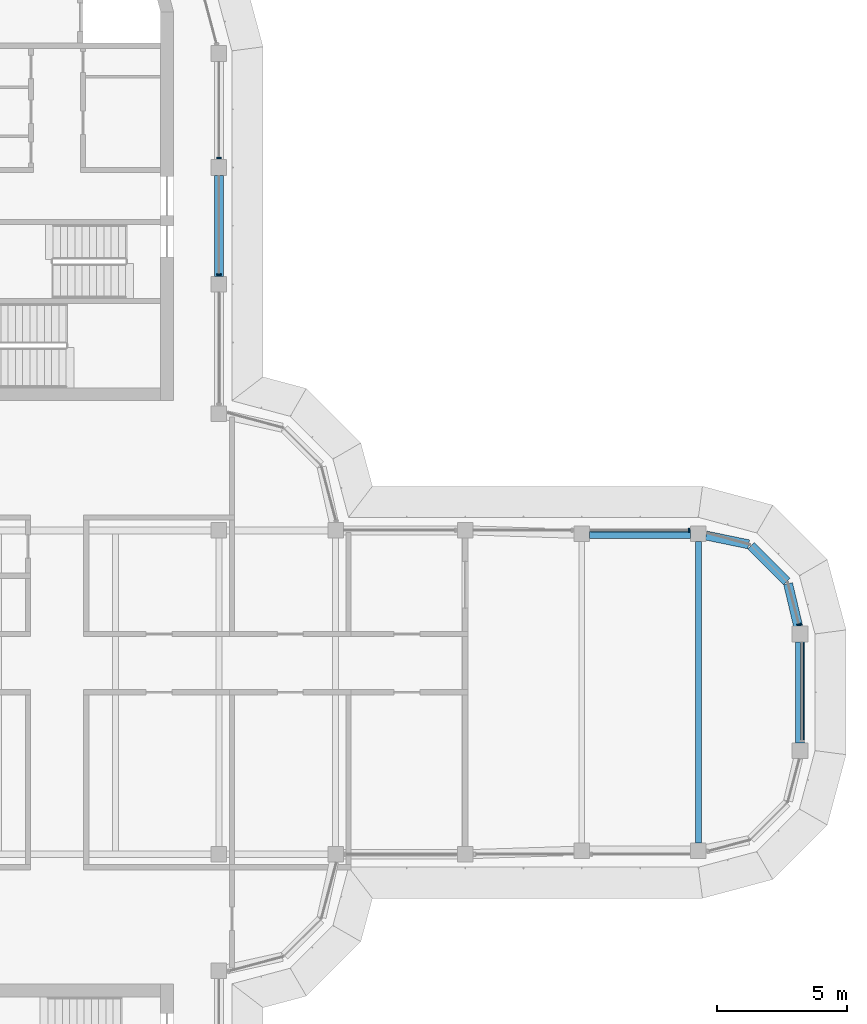
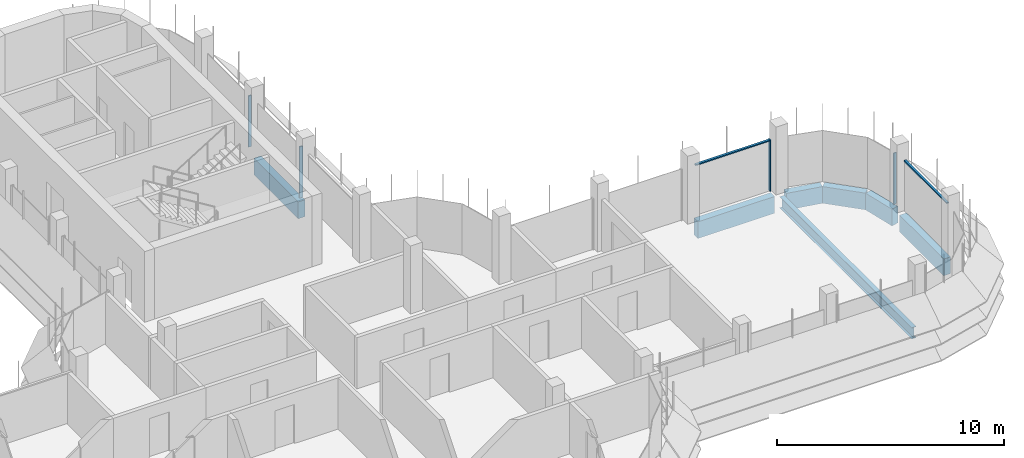
# One storey, part 9 of 19: 7 beams, 6 members, 4 elements without a shape of their own.
"""IFC4 building model written with IfcOpenShell, lengths in metres."""

from ifc_helpers import new_model, si_unit, direction, frame, origin, origin_2d, place, context, subcontext, project, spatial, polyline, rectangle, i_section, outline, extrude, source, transform, mapped, material, material_profile, profile_set, type_object, element, aggregate, save


model = new_model("IFC4")

# Units and contexts
model_context = context("Model", 3, precision=1e-05, world=origin(), true_north=direction((0.0, 1.0)))
body_context = subcontext(model_context, "Body", "Model", "MODEL_VIEW")
ifc_project = project(units=[si_unit("LENGTHUNIT", "METRE"), si_unit("AREAUNIT", "SQUARE_METRE"), si_unit("VOLUMEUNIT", "CUBIC_METRE"), si_unit("PLANEANGLEUNIT", "RADIAN"), si_unit("MASSUNIT", "GRAM", prefix="KILO")], contexts=[model_context])

# Site, building, storey
site_placement = place(None, origin())
site = spatial("IfcSite", under=ifc_project, at=site_placement, CompositionType="ELEMENT")
building_placement = place(site_placement, origin())
building = spatial("IfcBuilding", under=site, at=building_placement, Name="Zarbagh Exchange Tower", CompositionType="ELEMENT")
storey_placement = place(building_placement, frame((0.0, 0.0, 257.39990234375)))
storey = spatial("IfcBuildingStorey", under=building, at=storey_placement, Name="L63", CompositionType="ELEMENT", Elevation=257.39990234375)

# Beams
ifc_material_1 = material(Name="Steel ASTM A992 Gr 50", Category="steel")
ifc_material_profile_1 = material_profile(ifc_material_1, i_section(OverallWidth=0.228271484375, OverallDepth=0.607177734375, WebThickness=0.01123046875, FlangeThickness=0.017333984375, at=origin_2d()), Name="W24X76")
ifc_profile_set_1 = profile_set([ifc_material_profile_1], Name="Steel ASTM A992 Gr 50")
beam_type_1 = type_object("IfcBeamType", Name="Floor beam W24X76", PredefinedType="BEAM", material=ifc_profile_set_1)
beam_1_placement = place(storey_placement, frame((24.75, -5.81005859375, -0.453369140625), z_axis=(0.0, 1.0, 0.0), x_axis=(-1.0, 0.0, 0.0)))
element("IfcBeam", 1, at=beam_1_placement, inside=storey, type_object=beam_type_1, Name="Steel floor beam", PredefinedType="BEAM", context=body_context, shape_type="SweptSolid", body=[
    extrude(i_section(OverallWidth=0.228271484375, OverallDepth=0.607177734375, WebThickness=0.01123046875, FlangeThickness=0.017333984375, at=origin_2d()), origin(), (0.0, 0.0, 1.0), 11.6201171875),
])
ifc_material_2 = material(Name="Concrete C40/50", Category="concrete")
ifc_material_profile_2 = material_profile(ifc_material_2, rectangle(XDim=0.35009765625, YDim=0.89990234375, at=origin_2d()), Name="RC spandrel beam 350 x 900 C40/50")
ifc_profile_set_2 = profile_set([ifc_material_profile_2], Name="Concrete C40/50")
beam_type_2 = type_object("IfcBeamType", Name="RC spandrel beam 350 x 900 C40/50", PredefinedType="SPANDREL", material=ifc_profile_set_2)
for number, where, z_axis, x_axis, name in (
    (2, (6.25, 19.949951171875, -0.599853515625), (0.0, -1.0, 0.0), (1.0, 0.0, 0.0), "RC spandrel beam"),
    (3, (20.550048828125, 6.110107421875, -0.599853515625), (1.0, 0.0, 0.0), (0.0, 1.0, 0.0), "RC spandrel beam"),
):
    element("IfcBeam", number, at=place(storey_placement, frame(where, z_axis=z_axis, x_axis=x_axis)), inside=storey, type_object=beam_type_2, Name=name, PredefinedType="SPANDREL", context=body_context, shape_type="SweptSolid", body=[
        extrude(rectangle(XDim=0.35009765625, YDim=0.89990234375, at=origin_2d()), origin(), (0.0, 0.0, 1.0), 3.89990234375),
    ])
beam_2_placement = place(storey_placement, frame((25.043701171875, 6.04931640625, -0.599853515625), z_axis=(0.979349753205, -0.202173343684, 0.0), x_axis=(0.202173343684, 0.979349753205, 0.0)))
element("IfcBeam", 4, at=beam_2_placement, inside=storey, type_object=beam_type_2, Name="RC spandrel beam", PredefinedType="SPANDREL", context=body_context, shape_type="SweptSolid", body=[
    extrude(rectangle(XDim=0.35009765625, YDim=0.89990234375, at=origin_2d()), origin(), (0.0, 0.0, 1.0), 1.680908203125),
])
beam_3_placement = place(storey_placement, frame((26.7783203125, 5.661865234375, -0.599853515625), z_axis=(0.707106781187, -0.707106781187, 0.0), x_axis=(0.707106781187, 0.707106781187, 0.0)))
element("IfcBeam", 5, at=beam_3_placement, inside=storey, type_object=beam_type_2, Name="RC spandrel beam", PredefinedType="SPANDREL", context=body_context, shape_type="SweptSolid", body=[
    extrude(rectangle(XDim=0.35009765625, YDim=0.89990234375, at=origin_2d()), origin(), (0.0, 0.0, 1.0), 1.95947265625),
])
beam_4_placement = place(storey_placement, frame((28.210205078125, 4.19287109375, -0.599853515625), z_axis=(0.230258391117, -0.973129525459, 0.0), x_axis=(0.973129525459, 0.230258391117, 0.0)))
element("IfcBeam", 6, at=beam_4_placement, inside=storey, type_object=beam_type_2, Name="RC spandrel beam", PredefinedType="SPANDREL", context=body_context, shape_type="SweptSolid", body=[
    extrude(rectangle(XDim=0.35009765625, YDim=0.89990234375, at=origin_2d()), origin(), (0.0, 0.0, 1.0), 1.696533203125),
])
beam_5_placement = place(storey_placement, frame((28.669921875, 1.949951171875, -0.599853515625), z_axis=(0.0, -1.0, 0.0), x_axis=(1.0, 0.0, 0.0)))
element("IfcBeam", 7, at=beam_5_placement, inside=storey, type_object=beam_type_2, Name="RC spandrel beam", PredefinedType="SPANDREL", context=body_context, shape_type="SweptSolid", body=[
    extrude(rectangle(XDim=0.35009765625, YDim=0.89990234375, at=origin_2d()), origin(), (0.0, 0.0, 1.0), 3.89990234375),
])

# Curtain wall, member
ifc_material_3 = material(Name="Anodised aluminium frame and glazing", Category="aluminium")
curtain_wall_type = type_object("IfcCurtainWallType", Name="CWB Ribbon glazing, upper zones", PredefinedType="NOTDEFINED", material=ifc_material_3)
curtain_wall_1_placement = place(storey_placement, origin())
curtain_wall_1 = element("IfcCurtainWall", 8, at=curtain_wall_1_placement, inside=storey, type_object=curtain_wall_type, Name="CWB79 curtain wall", PredefinedType="NOTDEFINED")
ifc_material_4 = material(Name="Anodised aluminium frame", Category="aluminium")
member_type_1 = type_object("IfcMemberType", Name="MUB Mullion, anodised aluminium frame", PredefinedType="MULLION", material=ifc_material_4)
shared_shape_1 = source(origin(), body_context, "Body", "SweptSolid", [
    extrude(outline(polyline([(0.0, -0.080078125), (0.06005859375, -0.080078125), (0.06005859375, 0.080078125), (0.0, 0.080078125), (0.0, -0.080078125)])), origin(), (0.0, 0.0, 1.0), 2.75),
])
placement = place(storey_placement, origin())
member_1 = element("IfcMember", 9, at=placement, type_object=member_type_1, Name="CWB79 mullion 1.1", PredefinedType="MULLION", context=body_context, shape_type="MappedRepresentation", body=[
    mapped(shared_shape_1, transform((28.641357421875, 2.58984375, 0.0), x_axis=(-0.258824779902, 0.965924289636, 0.0), y_axis=(-0.965924289636, -0.258824779902, 0.0), z_axis=(0.0, 0.0, 1.0))),
])
aggregate(curtain_wall_1, [member_1])

curtain_wall_2_placement = place(storey_placement, origin())
curtain_wall_2 = element("IfcCurtainWall", 10, at=curtain_wall_2_placement, inside=storey, type_object=curtain_wall_type, Name="CWB82 curtain wall", PredefinedType="NOTDEFINED")
member_2 = element("IfcMember", 11, at=placement, type_object=member_type_1, Name="CWB82 mullion 1.1", PredefinedType="MULLION", context=body_context, shape_type="MappedRepresentation", body=[
    mapped(shared_shape_1, transform((24.409912109375, 6.25, 0.0), x_axis=(-1.0, 0.0, 0.0), y_axis=(0.0, -1.0, 0.0), z_axis=(0.0, 0.0, 1.0))),
])

# Curtain wall, members
curtain_wall_3_placement = place(storey_placement, origin())
curtain_wall_3 = element("IfcCurtainWall", 12, at=curtain_wall_3_placement, inside=storey, type_object=curtain_wall_type, Name="CWB67 curtain wall", PredefinedType="NOTDEFINED")
member_3 = element("IfcMember", 13, at=placement, type_object=member_type_1, Name="CWB67 mullion 2.1", PredefinedType="MULLION", context=body_context, shape_type="MappedRepresentation", body=[
    mapped(shared_shape_1, transform((6.25, 16.090087890625, 0.0), x_axis=(0.0, 1.0, 0.0), y_axis=(-1.0, 0.0, 0.0), z_axis=(0.0, 0.0, 1.0))),
])
member_4 = element("IfcMember", 14, at=placement, type_object=member_type_1, Name="CWB67 mullion 3.1", PredefinedType="MULLION", context=body_context, shape_type="MappedRepresentation", body=[
    mapped(shared_shape_1, transform((6.25, 20.590087890625, 0.0), x_axis=(0.0, 1.0, 0.0), y_axis=(-1.0, 0.0, 0.0), z_axis=(0.0, 0.0, 1.0))),
])
aggregate(curtain_wall_3, [member_3, member_4])

# Curtain wall, member
curtain_wall_4_placement = place(storey_placement, origin())
curtain_wall_4 = element("IfcCurtainWall", 15, at=curtain_wall_4_placement, inside=storey, type_object=curtain_wall_type, Name="CWB83 curtain wall", PredefinedType="NOTDEFINED")
member_type_2 = type_object("IfcMemberType", Name="TRB Transom, anodised aluminium frame", PredefinedType="USERDEFINED", material=ifc_material_4)
shared_shape_2 = source(origin(), body_context, "Body", "SweptSolid", [
    extrude(outline(polyline([(-0.06005859375, -0.06005859375), (0.0, -0.06005859375), (0.0, 0.06005859375), (-0.06005859375, 0.06005859375), (-0.06005859375, -0.06005859375)])), origin(), (0.0, 0.0, 1.0), 3.760009765625),
])
member_5 = element("IfcMember", 16, at=placement, type_object=member_type_2, Name="CWB83 transom 1.1", ObjectType="TRANSOM", PredefinedType="USERDEFINED", context=body_context, shape_type="MappedRepresentation", body=[
    mapped(shared_shape_2, transform((28.75, -1.849853515625, 2.75), x_axis=(0.0, 0.0, 1.0), y_axis=(1.0, 0.0, 0.0), z_axis=(0.0, 1.0, 0.0))),
])
aggregate(curtain_wall_4, [member_5])

# Member
member_6 = element("IfcMember", 17, at=placement, type_object=member_type_2, Name="CWB82 transom 1.1", ObjectType="TRANSOM", PredefinedType="USERDEFINED", context=body_context, shape_type="MappedRepresentation", body=[
    mapped(shared_shape_2, transform((24.349853515625, 6.25, 2.75), x_axis=(0.0, 0.0, 1.0), y_axis=(0.0, 1.0, 0.0), z_axis=(-1.0, 0.0, 0.0))),
])

aggregate(curtain_wall_2, [member_2, member_6])

save(model, "model.ifc")
